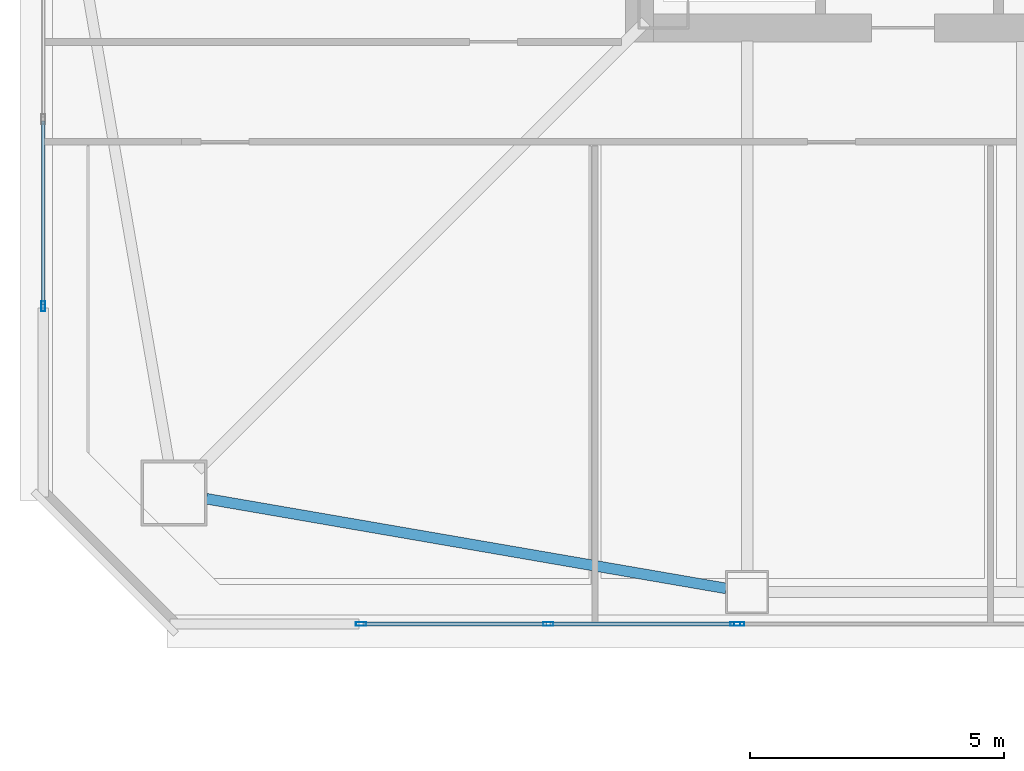
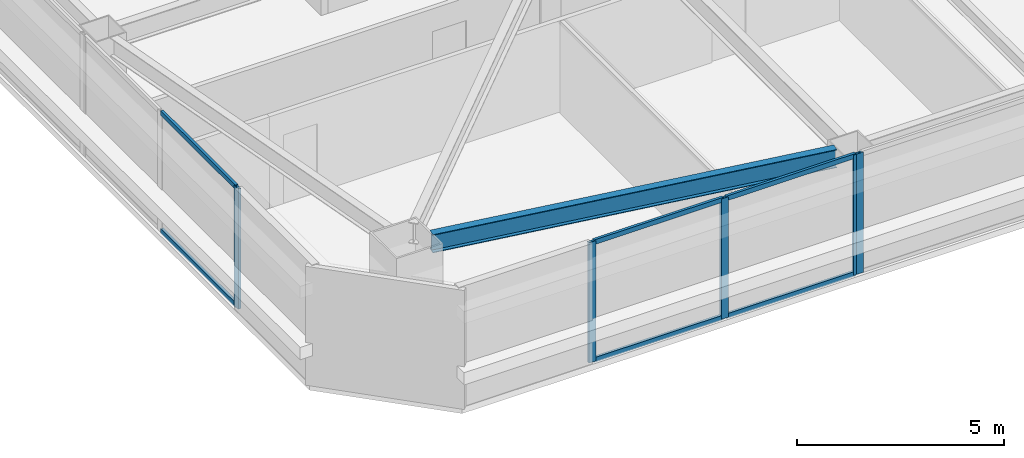
# One storey, part 3 of 44: 11 members, 1 beam, 3 elements without a shape of their own.
"""IFC4 building model written with IfcOpenShell, lengths in metres."""

import ifcopenshell
import ifcopenshell.guid

model = None  # the IFC model being written
_history = None  # IfcOwnerHistory: only IFC2X3 demands one
_inside = {}  # id of a spatial element -> (the spatial element, [elements in it])
_under = {}  # id of a project, library or spatial element -> (it, [spatial elements below it])
_declared = {}  # id of a project -> (the project, [libraries it declares])
_typed = {}  # id of a type object -> (the type object, [elements of that type])
_made_of = {}  # id of a material, layer set ... -> (it, [elements and type objects made of it])


def new_model(schema):
    """Start an empty IFC model of exactly this schema.

    Asked for "IFC4X3", IfcOpenShell would pick the latest addendum, in which some entities
    have other attributes; the version numbers below select the first issue.
    IFC2X3 requires an IfcOwnerHistory on every rooted entity: one is made here for all.
    """
    global model, _history
    if schema == "IFC4X3":
        model = ifcopenshell.file(schema_version=(4, 3, 0, 0))
    else:
        model = ifcopenshell.file(schema=schema)
    _inside.clear()
    _under.clear()
    _declared.clear()
    _typed.clear()
    _made_of.clear()
    _history = None
    if model.schema == "IFC2X3":
        org = make("IfcOrganization", Name="unknown")
        user = make(
            "IfcPersonAndOrganization",
            ThePerson=make("IfcPerson", FamilyName="unknown"),
            TheOrganization=org,
        )
        app = make(
            "IfcApplication",
            ApplicationDeveloper=org,
            Version="unknown",
            ApplicationFullName="unknown",
            ApplicationIdentifier="unknown",
        )
        _history = make(
            "IfcOwnerHistory",
            OwningUser=user,
            OwningApplication=app,
            ChangeAction="ADDED",
            CreationDate=0,
        )
    return model


def make(cls, **values):
    """One entity of the class cls with the attributes given. An attribute that is None is left unset."""
    return model.create_entity(
        cls, **{name: value for name, value in values.items() if value is not None}
    )


def rooted(cls, **values):
    """An entity with a GlobalId (a new one), such as an element, a storey or a relation."""
    return make(cls, GlobalId=ifcopenshell.guid.new(), OwnerHistory=_history, **values)


def si_unit(unit_type, name, prefix=None):
    """IfcSIUnit, for example si_unit("LENGTHUNIT", "METRE", prefix="MILLI")."""
    return make("IfcSIUnit", UnitType=unit_type, Prefix=prefix, Name=name)


def assignment(units):
    """IfcUnitAssignment: the units of a project."""
    return None if units is None else make("IfcUnitAssignment", Units=units)


def point(xyz):
    """IfcCartesianPoint."""
    return None if xyz is None else make("IfcCartesianPoint", Coordinates=xyz)


def direction(xyz):
    """IfcDirection."""
    return None if xyz is None else make("IfcDirection", DirectionRatios=xyz)


def frame(location, z_axis=None, x_axis=None):
    """IfcAxis2Placement3D, a coordinate frame: its origin and axes. An axis left out is left unset."""
    return make(
        "IfcAxis2Placement3D",
        Location=point(location),
        Axis=direction(z_axis),
        RefDirection=direction(x_axis),
    )


def frame_2d(location, x_axis=None):
    """IfcAxis2Placement2D, a coordinate frame in the plane: its origin and x axis."""
    return make(
        "IfcAxis2Placement2D", Location=point(location), RefDirection=direction(x_axis)
    )


def origin():
    """The frame at (0, 0, 0) with its axes left unset."""
    return frame((0.0, 0.0, 0.0))


def origin_2d():
    """The frame at (0, 0) in the plane with its x axis left unset."""
    return frame_2d((0.0, 0.0))


def place(relative_to, where):
    """IfcLocalPlacement: puts the frame where relative to a parent placement (None: the world)."""
    return make(
        "IfcLocalPlacement", PlacementRelTo=relative_to, RelativePlacement=where
    )


def context(
    kind, dimensions, precision=None, world=None, true_north=None, identifier=None
):
    """IfcGeometricRepresentationContext, for example the 3D "Model" context."""
    return make(
        "IfcGeometricRepresentationContext",
        ContextIdentifier=identifier,
        ContextType=kind,
        CoordinateSpaceDimension=dimensions,
        Precision=precision,
        WorldCoordinateSystem=world,
        TrueNorth=true_north,
    )


def subcontext(parent, identifier, kind, view, scale=None):
    """IfcGeometricRepresentationSubContext, for example "Body" below "Model"."""
    return make(
        "IfcGeometricRepresentationSubContext",
        ContextIdentifier=identifier,
        ContextType=kind,
        ParentContext=parent,
        TargetScale=scale,
        TargetView=view,
    )


def project(units=None, contexts=None):
    """IfcProject with its units and contexts."""
    return rooted(
        "IfcProject",
        Name="project",
        RepresentationContexts=contexts,
        UnitsInContext=assignment(units),
    )


def spatial(cls, under=None, at=None, **own):
    """A site, building, storey or space (cls), placed at a placement, below another one or the project."""
    s = rooted(cls, ObjectPlacement=at, **own)
    if under is not None:
        _under.setdefault(under.id(), (under, []))[1].append(s)
    return s


def profile(cls, at=None, kind="AREA", **sizes):
    """A parametric profile (cls). Its sizes go by their IFC names, for example OverallWidth=200.0."""
    return make(cls, ProfileType=kind, Position=at, **sizes)


def hollow_rectangle(**sizes):
    """IfcRectangleHollowProfileDef."""
    return profile("IfcRectangleHollowProfileDef", **sizes)


def i_section(**sizes):
    """IfcIShapeProfileDef."""
    return profile("IfcIShapeProfileDef", **sizes)


def extrude(swept, where, along, depth):
    """IfcExtrudedAreaSolid: the profile swept, set in the frame where, extruded along a direction by depth."""
    return make(
        "IfcExtrudedAreaSolid",
        SweptArea=swept,
        Position=where,
        ExtrudedDirection=direction(along),
        Depth=depth,
    )


def shape(context_of_items, identifier, shape_type, items):
    """IfcShapeRepresentation: the items that make up one representation, for example the "Body"."""
    return make(
        "IfcShapeRepresentation",
        ContextOfItems=context_of_items,
        RepresentationIdentifier=identifier,
        RepresentationType=shape_type,
        Items=items,
    )


def material(Name=None, Category=None):
    """IfcMaterial."""
    return make("IfcMaterial", Name=Name, Category=Category)


def material_profile(
    of_material, cross_section, Name=None, Category=None, Priority=None
):
    """IfcMaterialProfile: a cross section and its material."""
    return make(
        "IfcMaterialProfile",
        Name=Name,
        Material=of_material,
        Profile=cross_section,
        Priority=Priority,
        Category=Category,
    )


def profile_set(profiles, Name=None, composite=None):
    """IfcMaterialProfileSet."""
    return make(
        "IfcMaterialProfileSet",
        Name=Name,
        MaterialProfiles=profiles,
        CompositeProfile=composite,
    )


def made_of(thing, what):
    """Note that an element or type object is made of a material, layer set ...; save() writes the relation."""
    if what is not None:
        _made_of.setdefault(what.id(), (what, []))[1].append(thing)
    return thing


def type_object(cls, material=None, **own):
    """A type object (cls), such as IfcWallType, which elements share."""
    return made_of(rooted(cls, **own), material)


def element(
    cls,
    number,
    at=None,
    inside=None,
    cuts=None,
    type_object=None,
    material=None,
    context=None,
    identifier="Body",
    shape_type=None,
    held_by="IfcProductDefinitionShape",
    body=None,
    shapes=None,
    **own,
):
    """One element of the class cls, such as IfcWall. Its Tag is "e" and its number.

    at: its placement. inside: the storey or other place that contains it. cuts: it is an
    opening in that element (IfcRelVoidsElement). A single representation is given by context,
    identifier, shape_type and body (its items); several are given by shapes. held_by: the class
    of the entity that holds the representations. save() writes the other relations.
    """
    e = rooted(cls, Tag="e%d" % number, ObjectPlacement=at, **own)
    if body is not None:
        shapes = [shape(context, identifier, shape_type, body)]
    if shapes is not None:
        e.Representation = make(held_by, Representations=shapes)
    if inside is not None:
        _inside.setdefault(inside.id(), (inside, []))[1].append(e)
    if cuts is not None:
        rooted(
            "IfcRelVoidsElement", RelatingBuildingElement=cuts, RelatedOpeningElement=e
        )
    if type_object is not None:
        _typed.setdefault(type_object.id(), (type_object, []))[1].append(e)
    return made_of(e, material)


def aggregate(whole, parts):
    """IfcRelAggregates: a whole, such as a stair, and the parts it consists of."""
    return rooted("IfcRelAggregates", RelatingObject=whole, RelatedObjects=parts)


def save(model, path):
    """Write the relations noted so far, then the file.

    IfcRelAggregates (storeys below a building ...), IfcRelContainedInSpatialStructure (elements
    in a storey), IfcRelDefinesByType, IfcRelAssociatesMaterial and IfcRelDeclares: one each for
    every whole, place, type object, material and project.
    """
    for whole, parts in _under.values():
        aggregate(whole, parts)
    for where, things in _inside.values():
        rooted(
            "IfcRelContainedInSpatialStructure",
            RelatedElements=things,
            RelatingStructure=where,
        )
    for kind, things in _typed.values():
        rooted("IfcRelDefinesByType", RelatedObjects=things, RelatingType=kind)
    for what, things in _made_of.values():
        rooted("IfcRelAssociatesMaterial", RelatedObjects=things, RelatingMaterial=what)
    for by, libraries in _declared.values():
        rooted("IfcRelDeclares", RelatingContext=by, RelatedDefinitions=libraries)
    model.write(path)


model = new_model("IFC4")

# Units and contexts
model_context = context("Model", 3, precision=1e-05, world=origin(), true_north=direction((0.0, 1.0)))
body_context = subcontext(model_context, "Body", "Model", "MODEL_VIEW")
ifc_project = project(units=[si_unit("LENGTHUNIT", "METRE"), si_unit("AREAUNIT", "SQUARE_METRE"), si_unit("VOLUMEUNIT", "CUBIC_METRE"), si_unit("PLANEANGLEUNIT", "RADIAN"), si_unit("MASSUNIT", "GRAM", prefix="KILO")], contexts=[model_context])

# Site, building, storey
site_placement = place(None, origin())
site = spatial("IfcSite", under=ifc_project, at=site_placement, CompositionType="ELEMENT")
building_placement = place(site_placement, origin())
building = spatial("IfcBuilding", under=site, at=building_placement, Name="Tashvorn Skyway Center", CompositionType="ELEMENT")
storey_placement = place(building_placement, frame((0.0, 0.0, 149.89990234375)))
storey = spatial("IfcBuildingStorey", under=building, at=storey_placement, Name="L40", CompositionType="ELEMENT", Elevation=149.89990234375)

# Beam
ifc_material_1 = material(Name="Steel ASTM A992 Grade 50", Category="steel")
ifc_material_profile_1 = material_profile(ifc_material_1, i_section(OverallWidth=0.2109375, OverallDepth=0.5390625, WebThickness=0.01171875, FlangeThickness=0.018798828125, at=origin_2d()), Name="W21X73")
ifc_profile_set_1 = profile_set([ifc_material_profile_1], Name="Steel ASTM A992 Grade 50")
beam_type = type_object("IfcBeamType", Name="BM-SPANDREL-W21X73", PredefinedType="SPANDREL", material=ifc_profile_set_1)
beam_placement = place(storey_placement, frame((25.935546875, 15.1904296875, 3.1005859375), z_axis=(0.985432458462, -0.170067250846, 0.0), x_axis=(0.170067250846, 0.985432458462, 0.0)))
element("IfcBeam", 1, at=beam_placement, inside=storey, type_object=beam_type, Name="Tower 1 L40 Spandrel Beam 01", PredefinedType="SPANDREL", context=body_context, shape_type="SweptSolid", body=[
    extrude(i_section(OverallWidth=0.2109375, OverallDepth=0.5390625, WebThickness=0.01171875, FlangeThickness=0.018798828125, at=origin_2d()), origin(), (0.0, 0.0, 1.0), 10.402099609375),
])

# Curtain wall, member
ifc_material_2 = material(Name="Thermally broken bronze-anodized aluminium 6063-T6", Category="aluminium")
curtain_wall_type = type_object("IfcCurtainWallType", Name="CW-CW-Z3", PredefinedType="NOTDEFINED", material=ifc_material_2)
curtain_wall_1_placement = place(storey_placement, origin())
curtain_wall_1 = element("IfcCurtainWall", 2, at=curtain_wall_1_placement, inside=storey, type_object=curtain_wall_type, Name="Tower 1 L40 South Unitised Curtain Wall Glazing Group 2", PredefinedType="NOTDEFINED")
ifc_material_profile_2 = material_profile(ifc_material_2, hollow_rectangle(XDim=0.074951171875, YDim=0.199951171875, WallThickness=0.00439453125, at=origin_2d()), Name="ALU-MULL-75x200")
ifc_profile_set_2 = profile_set([ifc_material_profile_2], Name="Thermally broken bronze-anodized aluminium 6063-T6")
member_type_1 = type_object("IfcMemberType", Name="CWM-CW-Z3", PredefinedType="MULLION", material=ifc_profile_set_2)
member_1_placement = place(storey_placement, frame((36.444091796875, 12.719970703125, 0.0), z_axis=(0.0, 0.0, 1.0), x_axis=(0.0, -1.0, 0.0)))
member_1 = element("IfcMember", 3, at=member_1_placement, type_object=member_type_1, Name="CW-Z3 mullion 2", PredefinedType="MULLION", context=body_context, shape_type="SweptSolid", body=[
    extrude(hollow_rectangle(XDim=0.074951171875, YDim=0.199951171875, WallThickness=0.00439453125, at=origin_2d()), origin(), (0.0, 0.0, 1.0), 3.550048828125),
])
aggregate(curtain_wall_1, [member_1])

# Curtain wall, members
curtain_wall_2_placement = place(storey_placement, origin())
curtain_wall_2 = element("IfcCurtainWall", 4, at=curtain_wall_2_placement, inside=storey, type_object=curtain_wall_type, Name="Tower 1 L40 South Unitised Curtain Wall Glazing Group 3", PredefinedType="NOTDEFINED")
member_2_placement = place(storey_placement, frame((36.369140625, 12.719970703125, 0.0), z_axis=(0.0, 0.0, 1.0), x_axis=(0.0, -1.0, 0.0)))
member_2 = element("IfcMember", 5, at=member_2_placement, type_object=member_type_1, Name="CW-Z3 mullion 1", PredefinedType="MULLION", context=body_context, shape_type="SweptSolid", body=[
    extrude(hollow_rectangle(XDim=0.074951171875, YDim=0.199951171875, WallThickness=0.00439453125, at=origin_2d()), origin(), (0.0, 0.0, 1.0), 3.550048828125),
])
member_3_placement = place(storey_placement, frame((32.677734375, 12.719970703125, 0.0), z_axis=(0.0, 0.0, 1.0), x_axis=(0.0, -1.0, 0.0)))
member_3 = element("IfcMember", 6, at=member_3_placement, type_object=member_type_1, Name="CW-Z3 mullion 2", PredefinedType="MULLION", context=body_context, shape_type="SweptSolid", body=[
    extrude(hollow_rectangle(XDim=0.074951171875, YDim=0.199951171875, WallThickness=0.00439453125, at=origin_2d()), origin(), (0.0, 0.0, 1.0), 3.550048828125),
])
member_4_placement = place(storey_placement, frame((28.986328125, 12.719970703125, 0.0), z_axis=(0.0, 0.0, 1.0), x_axis=(0.0, -1.0, 0.0)))
member_4 = element("IfcMember", 7, at=member_4_placement, type_object=member_type_1, Name="CW-Z3 mullion 3", PredefinedType="MULLION", context=body_context, shape_type="SweptSolid", body=[
    extrude(hollow_rectangle(XDim=0.074951171875, YDim=0.199951171875, WallThickness=0.00439453125, at=origin_2d()), origin(), (0.0, 0.0, 1.0), 3.550048828125),
])

# Curtain wall, member
curtain_wall_3_placement = place(storey_placement, origin())
curtain_wall_3 = element("IfcCurtainWall", 8, at=curtain_wall_3_placement, inside=storey, type_object=curtain_wall_type, Name="Tower 1 L40 West Unitised Curtain Wall Glazing Group 1", PredefinedType="NOTDEFINED")
member_5_placement = place(storey_placement, frame((22.719970703125, 18.986328125, 0.0), z_axis=(0.0, 0.0, 1.0), x_axis=(-1.0, 0.0, 0.0)))
member_5 = element("IfcMember", 9, at=member_5_placement, type_object=member_type_1, Name="CW-Z3 mullion 1", PredefinedType="MULLION", context=body_context, shape_type="SweptSolid", body=[
    extrude(hollow_rectangle(XDim=0.074951171875, YDim=0.199951171875, WallThickness=0.00439453125, at=origin_2d()), origin(), (0.0, 0.0, 1.0), 3.550048828125),
])

# Member
ifc_material_profile_3 = material_profile(ifc_material_2, hollow_rectangle(XDim=0.074951171875, YDim=0.139892578125, WallThickness=0.004150390625, at=origin_2d()), Name="ALU-TRAN-75x140")
ifc_profile_set_3 = profile_set([ifc_material_profile_3], Name="Thermally broken bronze-anodized aluminium 6063-T6")
member_type_2 = type_object("IfcMemberType", Name="CWT-CW-Z3", PredefinedType="USERDEFINED", material=ifc_profile_set_3)
member_6_placement = place(storey_placement, frame((36.331787109375, 12.719970703125, 0.03759765625), z_axis=(-1.0, 0.0, 0.0), x_axis=(0.0, -1.0, 0.0)))
member_6 = element("IfcMember", 10, at=member_6_placement, type_object=member_type_2, Name="CW-Z3 transom 1.1", ObjectType="TRANSOM", PredefinedType="USERDEFINED", context=body_context, shape_type="SweptSolid", body=[
    extrude(hollow_rectangle(XDim=0.074951171875, YDim=0.139892578125, WallThickness=0.004150390625, at=origin_2d()), origin(), (0.0, 0.0, 1.0), 3.616455078125),
])

member_7_placement = place(storey_placement, frame((36.331787109375, 12.719970703125, 3.5126953125), z_axis=(-1.0, 0.0, 0.0), x_axis=(0.0, -1.0, 0.0)))
member_7 = element("IfcMember", 11, at=member_7_placement, type_object=member_type_2, Name="CW-Z3 transom 1.2", ObjectType="TRANSOM", PredefinedType="USERDEFINED", context=body_context, shape_type="SweptSolid", body=[
    extrude(hollow_rectangle(XDim=0.074951171875, YDim=0.139892578125, WallThickness=0.004150390625, at=origin_2d()), origin(), (0.0, 0.0, 1.0), 3.616455078125),
])

member_8_placement = place(storey_placement, frame((32.640380859375, 12.719970703125, 0.03759765625), z_axis=(-1.0, 0.0, 0.0), x_axis=(0.0, -1.0, 0.0)))
member_8 = element("IfcMember", 12, at=member_8_placement, type_object=member_type_2, Name="CW-Z3 transom 2.1", ObjectType="TRANSOM", PredefinedType="USERDEFINED", context=body_context, shape_type="SweptSolid", body=[
    extrude(hollow_rectangle(XDim=0.074951171875, YDim=0.139892578125, WallThickness=0.004150390625, at=origin_2d()), origin(), (0.0, 0.0, 1.0), 3.616455078125),
])

member_9_placement = place(storey_placement, frame((32.640380859375, 12.719970703125, 3.5126953125), z_axis=(-1.0, 0.0, 0.0), x_axis=(0.0, -1.0, 0.0)))
member_9 = element("IfcMember", 13, at=member_9_placement, type_object=member_type_2, Name="CW-Z3 transom 2.2", ObjectType="TRANSOM", PredefinedType="USERDEFINED", context=body_context, shape_type="SweptSolid", body=[
    extrude(hollow_rectangle(XDim=0.074951171875, YDim=0.139892578125, WallThickness=0.004150390625, at=origin_2d()), origin(), (0.0, 0.0, 1.0), 3.616455078125),
])

aggregate(curtain_wall_2, [member_2, member_3, member_4, member_6, member_7, member_8, member_9])

member_10_placement = place(storey_placement, frame((22.719970703125, 19.02392578125, 0.03759765625), z_axis=(0.0, 1.0, 0.0), x_axis=(-1.0, 0.0, 0.0)))
member_10 = element("IfcMember", 14, at=member_10_placement, type_object=member_type_2, Name="CW-Z3 transom 1.1", ObjectType="TRANSOM", PredefinedType="USERDEFINED", context=body_context, shape_type="SweptSolid", body=[
    extrude(hollow_rectangle(XDim=0.074951171875, YDim=0.139892578125, WallThickness=0.004150390625, at=origin_2d()), origin(), (0.0, 0.0, 1.0), 3.616455078125),
])

member_11_placement = place(storey_placement, frame((22.719970703125, 19.02392578125, 3.5126953125), z_axis=(0.0, 1.0, 0.0), x_axis=(-1.0, 0.0, 0.0)))
member_11 = element("IfcMember", 15, at=member_11_placement, type_object=member_type_2, Name="CW-Z3 transom 1.2", ObjectType="TRANSOM", PredefinedType="USERDEFINED", context=body_context, shape_type="SweptSolid", body=[
    extrude(hollow_rectangle(XDim=0.074951171875, YDim=0.139892578125, WallThickness=0.004150390625, at=origin_2d()), origin(), (0.0, 0.0, 1.0), 3.616455078125),
])

aggregate(curtain_wall_3, [member_5, member_10, member_11])

save(model, "model.ifc")
